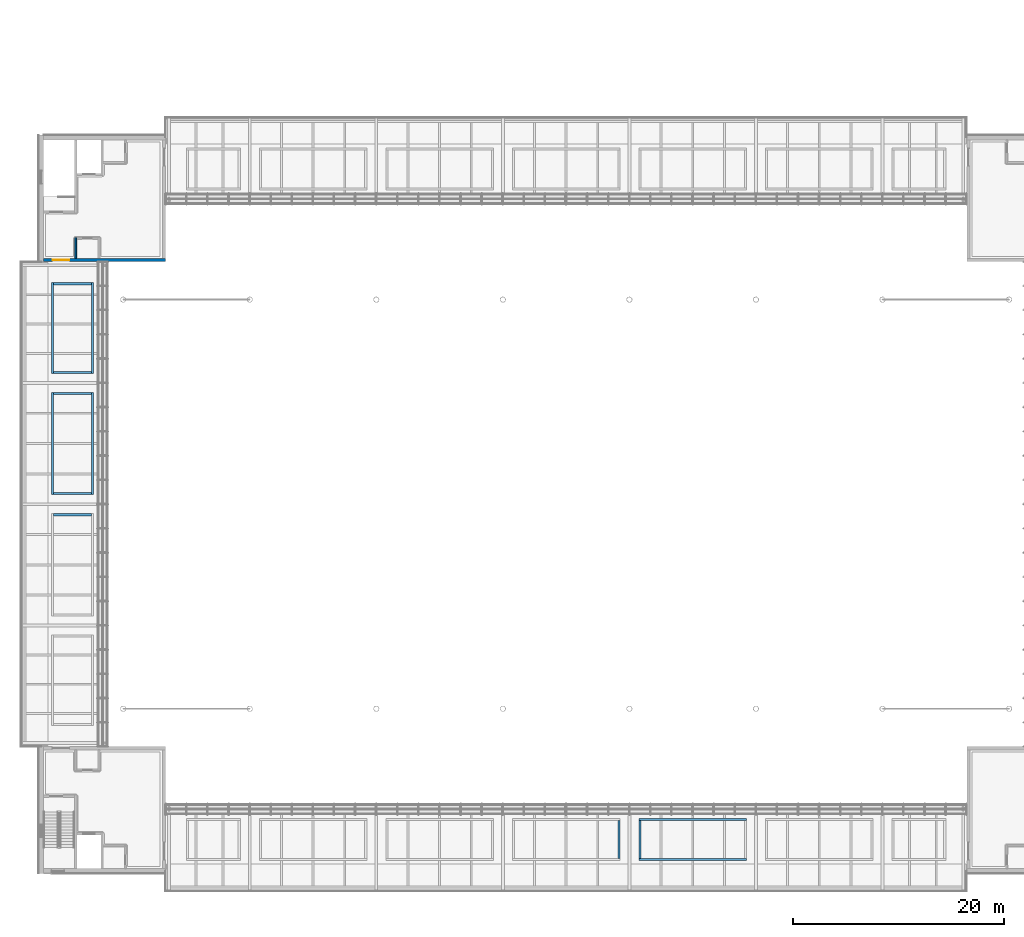
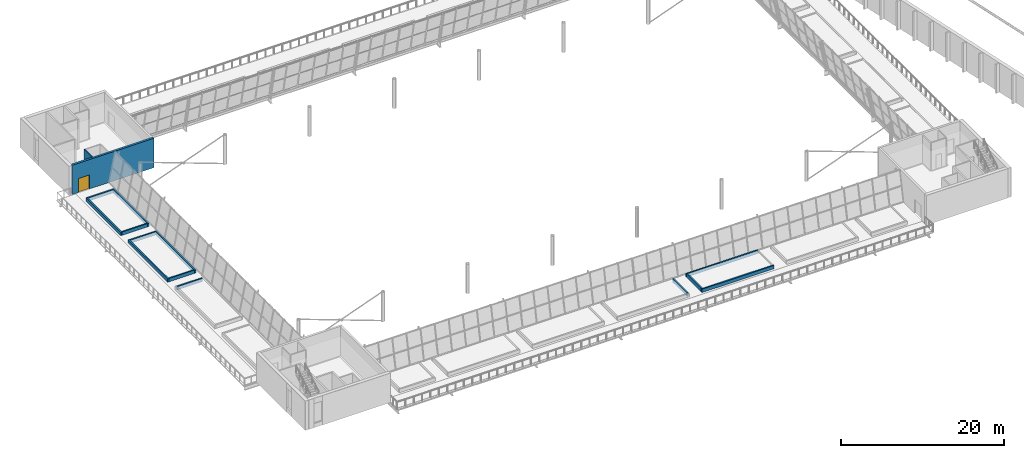
# One storey, part 31 of 58: 15 walls, 1 door, 1 opening.
"""IFC4 building model written with IfcOpenShell, lengths in metres."""

from ifc_helpers import new_model, si_unit, direction, frame, frame_2d, origin, place, context, subcontext, project, spatial, rectangle, extrude, material, layer, layer_set, type_object, element, fill, save


model = new_model("IFC4")

# Units and contexts
model_context = context("Model", 3, precision=1e-05, world=origin(), true_north=direction((0.0, 1.0)))
body_context = subcontext(model_context, "Body", "Model", "MODEL_VIEW")
ifc_project = project(units=[si_unit("LENGTHUNIT", "METRE"), si_unit("AREAUNIT", "SQUARE_METRE"), si_unit("VOLUMEUNIT", "CUBIC_METRE"), si_unit("PLANEANGLEUNIT", "RADIAN"), si_unit("MASSUNIT", "GRAM", prefix="KILO")], contexts=[model_context])

# Site, building, storey
site_placement = place(None, origin())
site = spatial("IfcSite", under=ifc_project, at=site_placement, CompositionType="ELEMENT")
building_placement = place(site_placement, origin())
building = spatial("IfcBuilding", under=site, at=building_placement, Name="Windward Yard Aquatics Centre", CompositionType="ELEMENT")
storey_placement = place(building_placement, frame((0.0, 0.0, 13.800048828125)))
storey = spatial("IfcBuildingStorey", under=building, at=storey_placement, Name="L03", CompositionType="ELEMENT", Elevation=13.800048828125)

# Walls
ifc_material_1 = material(Name="Blockwork 150 mm", Category="masonry")
ifc_layer_1 = layer(ifc_material_1, 0.14990234375)
ifc_layer_set_1 = layer_set([ifc_layer_1], Name="H Partition Blockwork 150")
wall_type_1 = type_object("IfcWallType", Name="H Partition Blockwork 150", PredefinedType="PARTITIONING", material=ifc_layer_set_1)
wall_1_placement = place(storey_placement, frame((55.5, 86.27490234375, 0.0), z_axis=(0.0, 0.0, 1.0), x_axis=(0.0, -1.0, 0.0)))
element("IfcWall", 1, at=wall_1_placement, inside=storey, type_object=wall_type_1, Name="L03 R2W riser wall NW", PredefinedType="PARTITIONING", context=body_context, shape_type="SweptSolid", body=[
    extrude(rectangle(XDim=1.974853515625, YDim=0.14990234375, at=frame_2d((0.9873046875, 0.0))), origin(), (0.0, 0.0, 1.0), 4.39990234375),
])
ifc_material_2 = material(Name="Concrete C35/45", Category="concrete")
ifc_layer_2 = layer(ifc_material_2, 0.199951171875)
ifc_layer_set_2 = layer_set([ifc_layer_2], Name="H planter kerb wall 200 C35/45")
wall_type_2 = type_object("IfcWallType", Name="H planter kerb wall 200 C35/45", PredefinedType="PARAPET", material=ifc_layer_set_2)
wall_2_placement = place(storey_placement, frame((107.0, 27.39990234375, 0.0), z_axis=(0.0, 0.0, 1.0), x_axis=(0.0, 1.0, 0.0)))
element("IfcWall", 2, at=wall_2_placement, inside=storey, type_object=wall_type_2, Name="Planting bed T1 S4 kerb E", PredefinedType="PARAPET", context=body_context, shape_type="SweptSolid", body=[
    extrude(rectangle(XDim=3.60009765625, YDim=0.199951171875, at=frame_2d((1.800048828125, 0.0))), origin(), (0.0, 0.0, 1.0), 0.5),
])
for number, where, z_axis, x_axis, name in (
    (3, (108.89990234375, 27.300048828125, 0.0), (0.0, 0.0, 1.0), (1.0, 0.0, 0.0), "Planting bed T1 S5 kerb S"),
    (4, (108.89990234375, 31.10009765625, 0.0), (0.0, 0.0, 1.0), (1.0, 0.0, 0.0), "Planting bed T1 S5 kerb N"),
):
    element("IfcWall", number, at=place(storey_placement, frame(where, z_axis=z_axis, x_axis=x_axis)), inside=storey, type_object=wall_type_2, Name=name, PredefinedType="PARAPET", context=body_context, shape_type="SweptSolid", body=[
        extrude(rectangle(XDim=10.2001953125, YDim=0.199951171875, at=frame_2d((5.10009765625, 0.0))), origin(), (0.0, 0.0, 1.0), 0.5),
    ])
for number, where, z_axis, x_axis, name in (
    (5, (109.0, 27.39990234375, 0.0), (0.0, 0.0, 1.0), (0.0, 1.0, 0.0), "Planting bed T1 S5 kerb W"),
    (6, (53.39990234375, 60.0, 0.0), (0.0, 0.0, 1.0), (1.0, 0.0, 0.0), "Planting bed T1 W2 kerb E"),
):
    element("IfcWall", number, at=place(storey_placement, frame(where, z_axis=z_axis, x_axis=x_axis)), inside=storey, type_object=wall_type_2, Name=name, PredefinedType="PARAPET", context=body_context, shape_type="SweptSolid", body=[
        extrude(rectangle(XDim=3.60009765625, YDim=0.199951171875, at=frame_2d((1.800048828125, 0.0))), origin(), (0.0, 0.0, 1.0), 0.5),
    ])
for number, where, z_axis, x_axis, name in (
    (7, (53.300048828125, 61.89990234375, 0.0), (0.0, 0.0, 1.0), (0.0, 1.0, 0.0), "Planting bed T1 W3 kerb S"),
    (8, (57.10009765625, 61.89990234375, 0.0), (0.0, 0.0, 1.0), (0.0, 1.0, 0.0), "Planting bed T1 W3 kerb N"),
):
    element("IfcWall", number, at=place(storey_placement, frame(where, z_axis=z_axis, x_axis=x_axis)), inside=storey, type_object=wall_type_2, Name=name, PredefinedType="PARAPET", context=body_context, shape_type="SweptSolid", body=[
        extrude(rectangle(XDim=9.7001953125, YDim=0.199951171875, at=frame_2d((4.85009765625, 0.0))), origin(), (0.0, 0.0, 1.0), 0.5),
    ])
for number, where, z_axis, x_axis, name in (
    (9, (53.39990234375, 62.0, 0.0), (0.0, 0.0, 1.0), (1.0, 0.0, 0.0), "Planting bed T1 W3 kerb W"),
    (10, (53.39990234375, 71.5, 0.0), (0.0, 0.0, 1.0), (1.0, 0.0, 0.0), "Planting bed T1 W3 kerb E"),
):
    element("IfcWall", number, at=place(storey_placement, frame(where, z_axis=z_axis, x_axis=x_axis)), inside=storey, type_object=wall_type_2, Name=name, PredefinedType="PARAPET", context=body_context, shape_type="SweptSolid", body=[
        extrude(rectangle(XDim=3.60009765625, YDim=0.199951171875, at=frame_2d((1.800048828125, 0.0))), origin(), (0.0, 0.0, 1.0), 0.5),
    ])
for number, where, z_axis, x_axis, name in (
    (11, (53.300048828125, 73.39990234375, 0.0), (0.0, 0.0, 1.0), (0.0, 1.0, 0.0), "Planting bed T1 W4 kerb S"),
    (12, (57.10009765625, 73.39990234375, 0.0), (0.0, 0.0, 1.0), (0.0, 1.0, 0.0), "Planting bed T1 W4 kerb N"),
):
    element("IfcWall", number, at=place(storey_placement, frame(where, z_axis=z_axis, x_axis=x_axis)), inside=storey, type_object=wall_type_2, Name=name, PredefinedType="PARAPET", context=body_context, shape_type="SweptSolid", body=[
        extrude(rectangle(XDim=8.60009765625, YDim=0.199951171875, at=frame_2d((4.300048828125, 0.0))), origin(), (0.0, 0.0, 1.0), 0.5),
    ])
for number, where, z_axis, x_axis, name in (
    (13, (53.39990234375, 73.5, 0.0), (0.0, 0.0, 1.0), (1.0, 0.0, 0.0), "Planting bed T1 W4 kerb W"),
    (14, (53.39990234375, 81.89990234375, 0.0), (0.0, 0.0, 1.0), (1.0, 0.0, 0.0), "Planting bed T1 W4 kerb E"),
):
    element("IfcWall", number, at=place(storey_placement, frame(where, z_axis=z_axis, x_axis=x_axis)), inside=storey, type_object=wall_type_2, Name=name, PredefinedType="PARAPET", context=body_context, shape_type="SweptSolid", body=[
        extrude(rectangle(XDim=3.60009765625, YDim=0.199951171875, at=frame_2d((1.800048828125, 0.0))), origin(), (0.0, 0.0, 1.0), 0.5),
    ])

# Wall, opening, door
ifc_layer_3 = layer(ifc_material_2, 0.300048828125)
ifc_layer_set_3 = layer_set([ifc_layer_3], Name="H rear wall 300 C35/45")
wall_type_3 = type_object("IfcWallType", Name="H rear wall 300 C35/45", PredefinedType="SOLIDWALL", material=ifc_layer_set_3)
wall_3_placement = place(storey_placement, frame((52.449951171875, 84.14990234375, 0.0), z_axis=(0.0, 0.0, 1.0), x_axis=(1.0, 0.0, 0.0)))
wall_3 = element("IfcWall", 15, at=wall_3_placement, inside=storey, type_object=wall_type_3, Name="H.CW.NW.S.L03", PredefinedType="SOLIDWALL", context=body_context, shape_type="SweptSolid", body=[
    extrude(rectangle(XDim=11.550048828125, YDim=0.300048828125, at=frame_2d((5.77490234375, 0.0))), origin(), (0.0, 0.0, 1.0), 4.39990234375),
])
opening_placement = place(wall_3_placement, frame((0.85009765625, 0.0, 0.0)))
opening = element("IfcOpeningElement", 16, at=opening_placement, cuts=wall_3, Name="Opening H3018", PredefinedType="OPENING", context=body_context, shape_type="SweptSolid", body=[
    extrude(rectangle(XDim=1.60009765625, YDim=2.10009765625, at=frame_2d((0.800048828125, 1.050048828125))), frame((0.0, 0.16015625, 0.0), z_axis=(0.0, -1.0, 0.0), x_axis=(1.0, 0.0, 0.0)), (0.0, 0.0, 1.0), 0.320068359375),
])
ifc_material_3 = material(Name="Steel and timber door leaf", Category="steel")
door_type = type_object("IfcDoorType", Name="H Door Double 1600 x 2100 FD60", OperationType="DOUBLE_DOOR_SINGLE_SWING", PredefinedType="DOOR", material=ifc_material_3)
door_placement = place(opening_placement, origin())
door = element("IfcDoor", 17, at=door_placement, inside=storey, type_object=door_type, Name="L03 core NW door to gable", OperationType="DOUBLE_DOOR_SINGLE_SWING", OverallHeight=2.10009765625, OverallWidth=1.60009765625, PredefinedType="DOOR", context=body_context, shape_type="SweptSolid", body=[
    extrude(rectangle(XDim=1.60009765625, YDim=2.10009765625, at=frame_2d((0.800048828125, 1.050048828125))), frame((0.0, 0.02490234375, 0.0), z_axis=(0.0, -1.0, 0.0), x_axis=(1.0, 0.0, 0.0)), (0.0, 0.0, 1.0), 0.050048828125),
])
fill(opening, door)

save(model, "model.ifc")
